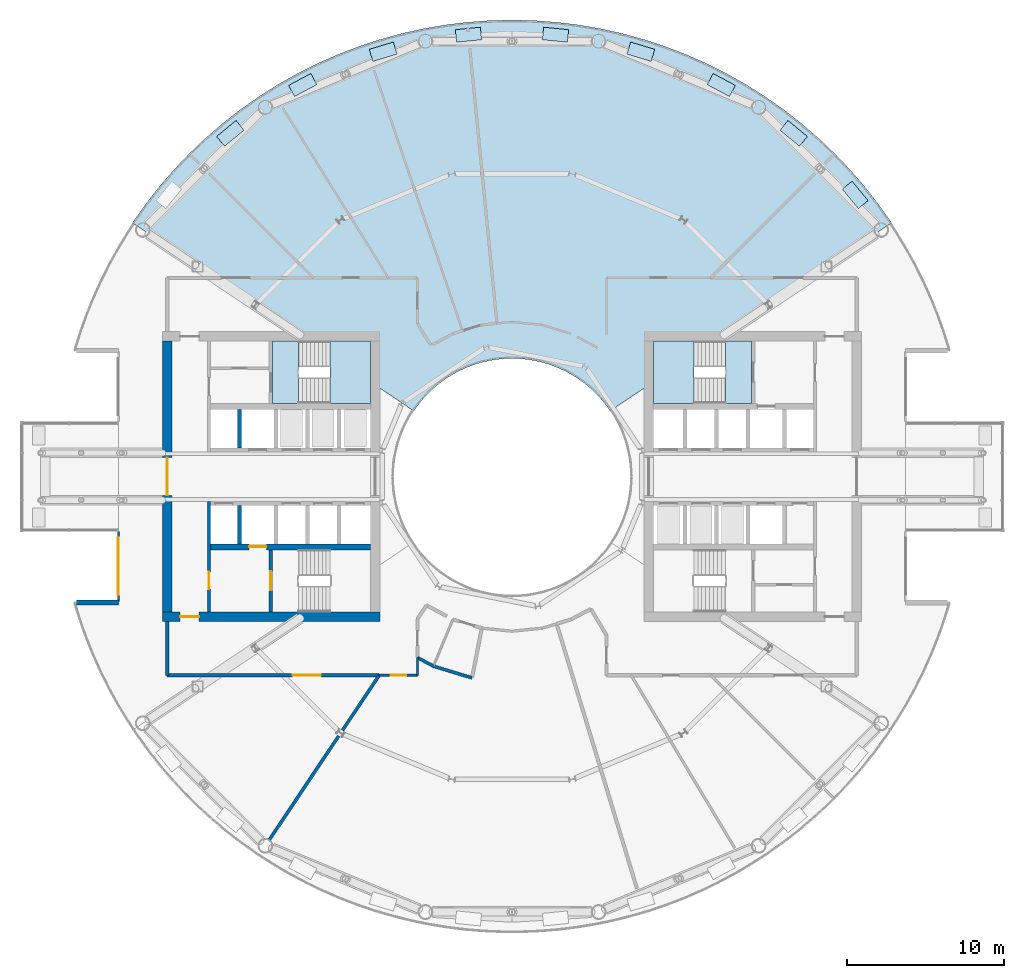
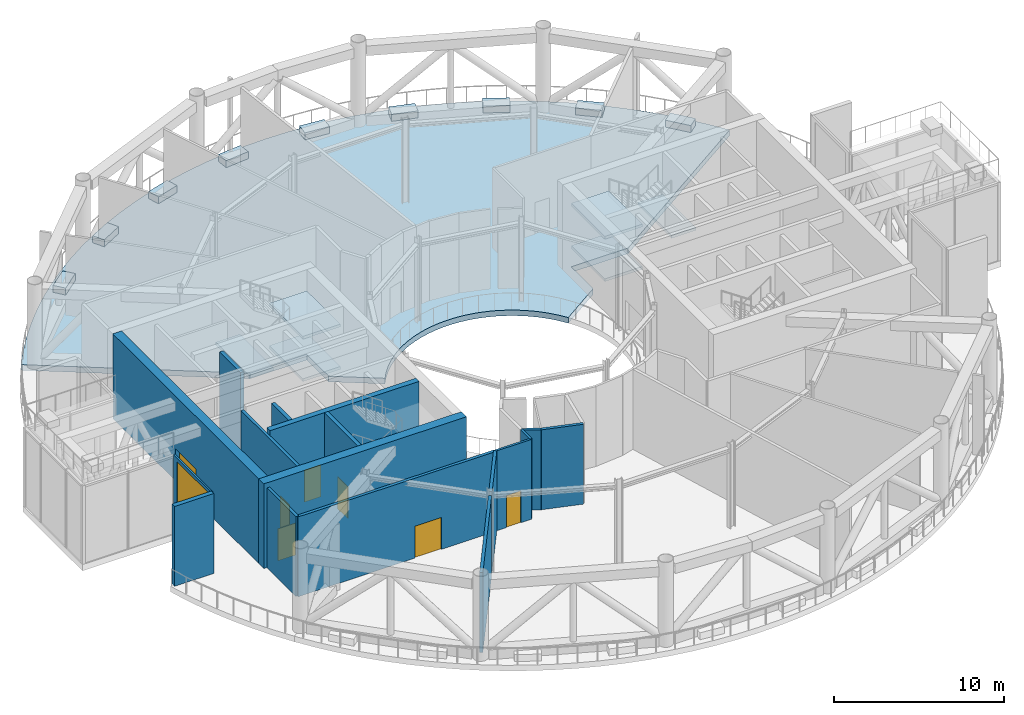
# One storey, part 12 of 25: 17 walls, 16 slabs, 7 doors, 1 window, 8 openings, 2 elements without a shape of their own.
"""IFC4 building model written with IfcOpenShell, lengths in metres."""

from ifc_helpers import new_model, si_unit, direction, frame, frame_2d, origin, place, context, subcontext, project, spatial, polyline, rectangle, outline, extrude, material, layer, layer_set, type_object, element, fill, aggregate, save


model = new_model("IFC4")

# Units and contexts
model_context = context("Model", 3, precision=1e-05, world=origin(), true_north=direction((0.0, 1.0)))
body_context = subcontext(model_context, "Body", "Model", "MODEL_VIEW")
ifc_project = project(units=[si_unit("LENGTHUNIT", "METRE"), si_unit("AREAUNIT", "SQUARE_METRE"), si_unit("VOLUMEUNIT", "CUBIC_METRE"), si_unit("PLANEANGLEUNIT", "RADIAN"), si_unit("MASSUNIT", "GRAM", prefix="KILO")], contexts=[model_context])

# Site, building, storey
site_placement = place(None, origin())
site = spatial("IfcSite", under=ifc_project, at=site_placement, CompositionType="ELEMENT")
building_placement = place(site_placement, origin())
building = spatial("IfcBuilding", under=site, at=building_placement, Name="Maasbend Ring Residences", CompositionType="ELEMENT")
storey_placement = place(building_placement, frame((0.0, 0.0, 139.10009765625)))
storey = spatial("IfcBuildingStorey", under=building, at=storey_placement, Name="L40", CompositionType="ELEMENT", Elevation=139.10009765625)

# Stair, slabs
ifc_material_1 = material(Name="Concrete C40/50", Category="concrete")
stair_type = type_object("IfcStairType", Name="CORE STAIR 36 RISERS", PredefinedType="HALF_TURN_STAIR", material=ifc_material_1)
stair_1_placement = place(storey_placement, origin())
stair_1 = element("IfcStair", 1, at=stair_1_placement, inside=storey, type_object=stair_type, Name="L40 Exit stair ST-E1", PredefinedType="HALF_TURN_STAIR")
ifc_material_2 = material(Name="Concrete C40/50", Category="concrete")
ifc_layer_1 = layer(ifc_material_2, 0.199951171875)
ifc_layer_set_1 = layer_set([ifc_layer_1], Name="Concrete C40/50")
slab_type_1 = type_object("IfcSlabType", Name="CORE STAIR LANDING 200", PredefinedType="LANDING", material=ifc_layer_set_1)
slab_1_placement = place(storey_placement, frame((0.0, 0.0, 1.324951171875)))
slab_1 = element("IfcSlab", 2, at=slab_1_placement, type_object=slab_type_1, Name="ST-E1 landing 1", PredefinedType="LANDING", context=body_context, shape_type="SweptSolid", body=[
    extrude(outline(polyline([(11.550048828125, 8.60009765625), (9.0, 8.60009765625), (9.0, 4.64990234375), (11.550048828125, 4.64990234375), (11.550048828125, 8.60009765625)])), origin(), (0.0, 0.0, 1.0), 0.199951171875),
])
slab_2_placement = place(storey_placement, frame((0.0, 0.0, 2.849853515625)))
slab_2 = element("IfcSlab", 3, at=slab_2_placement, type_object=slab_type_1, Name="ST-E1 landing 2", PredefinedType="LANDING", context=body_context, shape_type="SweptSolid", body=[
    extrude(outline(polyline([(15.199951171875, 8.60009765625), (13.550048828125, 8.60009765625), (13.550048828125, 4.64990234375), (15.199951171875, 4.64990234375), (15.199951171875, 8.60009765625)])), origin(), (0.0, 0.0, 1.0), 0.199951171875),
])
slab_3_placement = place(storey_placement, frame((0.0, 0.0, 4.375)))
slab_3 = element("IfcSlab", 4, at=slab_3_placement, type_object=slab_type_1, Name="ST-E1 landing 3", PredefinedType="LANDING", context=body_context, shape_type="SweptSolid", body=[
    extrude(outline(polyline([(11.550048828125, 8.60009765625), (9.0, 8.60009765625), (9.0, 4.64990234375), (11.550048828125, 4.64990234375), (11.550048828125, 8.60009765625)])), origin(), (0.0, 0.0, 1.0), 0.199951171875),
])
aggregate(stair_1, [slab_1, slab_2, slab_3])

stair_2_placement = place(storey_placement, origin())
stair_2 = element("IfcStair", 5, at=stair_2_placement, inside=storey, type_object=stair_type, Name="L40 Exit stair ST-W2", PredefinedType="HALF_TURN_STAIR")
slab_4_placement = place(storey_placement, frame((0.0, 0.0, 1.324951171875)))
slab_4 = element("IfcSlab", 6, at=slab_4_placement, type_object=slab_type_1, Name="ST-W2 landing 1", PredefinedType="LANDING", context=body_context, shape_type="SweptSolid", body=[
    extrude(outline(polyline([(-11.550048828125, 4.64990234375), (-9.0, 4.64990234375), (-9.0, 8.60009765625), (-11.550048828125, 8.60009765625), (-11.550048828125, 4.64990234375)])), origin(), (0.0, 0.0, 1.0), 0.199951171875),
])
slab_5_placement = place(storey_placement, frame((0.0, 0.0, 2.849853515625)))
slab_5 = element("IfcSlab", 7, at=slab_5_placement, type_object=slab_type_1, Name="ST-W2 landing 2", PredefinedType="LANDING", context=body_context, shape_type="SweptSolid", body=[
    extrude(outline(polyline([(-15.199951171875, 4.64990234375), (-13.550048828125, 4.64990234375), (-13.550048828125, 8.60009765625), (-15.199951171875, 8.60009765625), (-15.199951171875, 4.64990234375)])), origin(), (0.0, 0.0, 1.0), 0.199951171875),
])
slab_6_placement = place(storey_placement, frame((0.0, 0.0, 4.375)))
slab_6 = element("IfcSlab", 8, at=slab_6_placement, type_object=slab_type_1, Name="ST-W2 landing 3", PredefinedType="LANDING", context=body_context, shape_type="SweptSolid", body=[
    extrude(outline(polyline([(-11.550048828125, 4.64990234375), (-9.0, 4.64990234375), (-9.0, 8.60009765625), (-11.550048828125, 8.60009765625), (-11.550048828125, 4.64990234375)])), origin(), (0.0, 0.0, 1.0), 0.199951171875),
])
aggregate(stair_2, [slab_4, slab_5, slab_6])

# Slabs
ifc_material_3 = material(Name="Lawn and planting")
ifc_layer_2 = layer(ifc_material_3, 0.5)
ifc_layer_set_2 = layer_set([ifc_layer_2], Name="PLANTER-GD")
slab_type_2 = type_object("IfcSlabType", Name="PLANTER-GD", PredefinedType="USERDEFINED", material=ifc_layer_set_2)
slab_7_placement = place(storey_placement, origin())
element("IfcSlab", 9, at=slab_7_placement, inside=storey, type_object=slab_type_2, Name="Garden planter 1", ObjectType="PLANTER", PredefinedType="USERDEFINED", context=body_context, shape_type="SweptSolid", body=[
    extrude(outline(polyline([(22.615966796875, 17.52490234375), (21.60107421875, 18.761962890625), (20.98193359375, 18.2548828125), (21.9970703125, 17.01806640625), (22.615966796875, 17.52490234375)])), origin(), (0.0, 0.0, 1.0), 0.5),
])
slab_8_placement = place(storey_placement, origin())
element("IfcSlab", 10, at=slab_8_placement, inside=storey, type_object=slab_type_2, Name="Garden planter 2", ObjectType="PLANTER", PredefinedType="USERDEFINED", context=body_context, shape_type="SweptSolid", body=[
    extrude(outline(polyline([(18.761962890625, 21.60107421875), (17.52490234375, 22.615966796875), (17.01806640625, 21.9970703125), (18.2548828125, 20.98193359375), (18.761962890625, 21.60107421875)])), origin(), (0.0, 0.0, 1.0), 0.5),
])
slab_9_placement = place(storey_placement, origin())
element("IfcSlab", 11, at=slab_9_placement, inside=storey, type_object=slab_type_2, Name="Garden planter 3", ObjectType="PLANTER", PredefinedType="USERDEFINED", context=body_context, shape_type="SweptSolid", body=[
    extrude(outline(polyline([(14.18701171875, 24.845947265625), (12.77587890625, 25.60009765625), (12.39892578125, 24.89501953125), (13.81005859375, 24.139892578125), (14.18701171875, 24.845947265625)])), origin(), (0.0, 0.0, 1.0), 0.5),
])
slab_10_placement = place(storey_placement, origin())
element("IfcSlab", 12, at=slab_10_placement, inside=storey, type_object=slab_type_2, Name="Garden planter 4", ObjectType="PLANTER", PredefinedType="USERDEFINED", context=body_context, shape_type="SweptSolid", body=[
    extrude(outline(polyline([(9.068115234375, 27.135986328125), (7.537109375, 27.60107421875), (7.303955078125, 26.8349609375), (8.8349609375, 26.37109375), (9.068115234375, 27.135986328125)])), origin(), (0.0, 0.0, 1.0), 0.5),
])
slab_11_placement = place(storey_placement, origin())
element("IfcSlab", 13, at=slab_11_placement, inside=storey, type_object=slab_type_2, Name="Garden planter 5", ObjectType="PLANTER", PredefinedType="USERDEFINED", context=body_context, shape_type="SweptSolid", body=[
    extrude(outline(polyline([(3.59912109375, 28.384033203125), (2.007080078125, 28.541015625), (1.928955078125, 27.7451171875), (3.52099609375, 27.587890625), (3.59912109375, 28.384033203125)])), origin(), (0.0, 0.0, 1.0), 0.5),
])
slab_12_placement = place(storey_placement, origin())
element("IfcSlab", 14, at=slab_12_placement, inside=storey, type_object=slab_type_2, Name="Garden planter 6", ObjectType="PLANTER", PredefinedType="USERDEFINED", context=body_context, shape_type="SweptSolid", body=[
    extrude(outline(polyline([(-2.007080078125, 28.541015625), (-3.59912109375, 28.384033203125), (-3.52099609375, 27.587890625), (-1.928955078125, 27.7451171875), (-2.007080078125, 28.541015625)])), origin(), (0.0, 0.0, 1.0), 0.5),
])
slab_13_placement = place(storey_placement, origin())
element("IfcSlab", 15, at=slab_13_placement, inside=storey, type_object=slab_type_2, Name="Garden planter 7", ObjectType="PLANTER", PredefinedType="USERDEFINED", context=body_context, shape_type="SweptSolid", body=[
    extrude(outline(polyline([(-7.537109375, 27.60107421875), (-9.068115234375, 27.135986328125), (-8.8349609375, 26.37109375), (-7.303955078125, 26.8349609375), (-7.537109375, 27.60107421875)])), origin(), (0.0, 0.0, 1.0), 0.5),
])
slab_14_placement = place(storey_placement, origin())
element("IfcSlab", 16, at=slab_14_placement, inside=storey, type_object=slab_type_2, Name="Garden planter 8", ObjectType="PLANTER", PredefinedType="USERDEFINED", context=body_context, shape_type="SweptSolid", body=[
    extrude(outline(polyline([(-12.77587890625, 25.60009765625), (-14.18701171875, 24.845947265625), (-13.81005859375, 24.139892578125), (-12.39892578125, 24.89501953125), (-12.77587890625, 25.60009765625)])), origin(), (0.0, 0.0, 1.0), 0.5),
])
slab_15_placement = place(storey_placement, origin())
element("IfcSlab", 17, at=slab_15_placement, inside=storey, type_object=slab_type_2, Name="Garden planter 9", ObjectType="PLANTER", PredefinedType="USERDEFINED", context=body_context, shape_type="SweptSolid", body=[
    extrude(outline(polyline([(-17.52490234375, 22.615966796875), (-18.761962890625, 21.60107421875), (-18.2548828125, 20.98193359375), (-17.01806640625, 21.9970703125), (-17.52490234375, 22.615966796875)])), origin(), (0.0, 0.0, 1.0), 0.5),
])
ifc_material_4 = material(Name="Concrete C40/50", Category="concrete")
ifc_layer_3 = layer(ifc_material_4, 0.39990234375)
ifc_layer_set_3 = layer_set([ifc_layer_3], Name="Concrete C40/50")
slab_type_3 = type_object("IfcSlabType", Name="Post-tensioned flat plate 400", PredefinedType="FLOOR", material=ifc_layer_set_3)
slab_16_placement = place(storey_placement, frame((0.0, 0.0, -0.400146484375)))
element("IfcSlab", 18, at=slab_16_placement, inside=storey, type_object=slab_type_3, Name="Floor slab L40 sky garden", PredefinedType="FLOOR", context=body_context, shape_type="SweptSolid", body=[
    extrude(outline(polyline([(-24.112548828125, 16.111572265625), (-12.870849609375, 8.60009765625), (-9.0, 8.60009765625), (-9.0, 6.013671875), (-6.236083984375, 4.166748046875), (-6.024169921875, 4.4677734375), (-5.797607421875, 4.7578125), (-5.55712890625, 5.03662109375), (-5.30322265625, 5.30322265625), (-5.03662109375, 5.55712890625), (-4.7578125, 5.797607421875), (-4.4677734375, 6.024169921875), (-4.166748046875, 6.236083984375), (-3.855712890625, 6.43310546875), (-3.535400390625, 6.614501953125), (-3.206787109375, 6.77978515625), (-2.8701171875, 6.92919921875), (-2.526611328125, 7.0615234375), (-2.177001953125, 7.177001953125), (-1.822509765625, 7.275146484375), (-1.463134765625, 7.35595703125), (-1.1005859375, 7.418701171875), (-0.735107421875, 7.4638671875), (-0.367919921875, 7.490966796875), (0.0, 7.5), (0.367919921875, 7.490966796875), (0.735107421875, 7.4638671875), (1.1005859375, 7.418701171875), (1.463134765625, 7.35595703125), (1.822509765625, 7.275146484375), (2.177001953125, 7.177001953125), (2.526611328125, 7.0615234375), (2.8701171875, 6.92919921875), (3.206787109375, 6.77978515625), (3.535400390625, 6.614501953125), (3.855712890625, 6.43310546875), (4.166748046875, 6.236083984375), (4.4677734375, 6.024169921875), (4.7578125, 5.797607421875), (5.03662109375, 5.55712890625), (5.30322265625, 5.30322265625), (5.55712890625, 5.03662109375), (5.797607421875, 4.7578125), (6.024169921875, 4.4677734375), (6.236083984375, 4.166748046875), (9.0, 6.013671875), (9.0, 8.60009765625), (12.870849609375, 8.60009765625), (24.112548828125, 16.111572265625), (23.29296875, 17.275390625), (22.417236328125, 18.3974609375), (21.487548828125, 19.47509765625), (20.506103515625, 20.506103515625), (19.47509765625, 21.487548828125), (18.3974609375, 22.417236328125), (17.275390625, 23.29296875), (16.111572265625, 24.112548828125), (14.908935546875, 24.8740234375), (13.67041015625, 25.57568359375), (12.399169921875, 26.2158203125), (11.097900390625, 26.79248046875), (9.769775390625, 27.3046875), (8.418212890625, 27.751220703125), (7.04638671875, 28.130859375), (5.65771484375, 28.44287109375), (4.255126953125, 28.68603515625), (2.842529296875, 28.8603515625), (1.423095703125, 28.965087890625), (0.0, 29.0), (-1.423095703125, 28.965087890625), (-2.842529296875, 28.8603515625), (-4.255126953125, 28.68603515625), (-5.65771484375, 28.44287109375), (-7.04638671875, 28.130859375), (-8.418212890625, 27.751220703125), (-9.769775390625, 27.3046875), (-11.097900390625, 26.79248046875), (-12.399169921875, 26.2158203125), (-13.67041015625, 25.57568359375), (-14.908935546875, 24.8740234375), (-16.111572265625, 24.112548828125), (-17.275390625, 23.29296875), (-18.3974609375, 22.417236328125), (-19.47509765625, 21.487548828125), (-20.506103515625, 20.506103515625), (-21.487548828125, 19.47509765625), (-22.417236328125, 18.3974609375), (-23.29296875, 17.275390625), (-24.112548828125, 16.111572265625)])), origin(), (0.0, 0.0, 1.0), 0.400146484375),
])

# Wall, opening, door
ifc_material_5 = material(Name="Concrete C60/75", Category="concrete")
ifc_layer_4 = layer(ifc_material_5, 0.25)
ifc_layer_set_4 = layer_set([ifc_layer_4], Name="Concrete C60/75")
wall_type_1 = type_object("IfcWallType", Name="CORE WALL 250 C60/75", PredefinedType="SHEAR", material=ifc_layer_set_4)
wall_1_placement = place(storey_placement, frame((-15.324951171875, -4.64990234375, 0.0), z_axis=(0.0, 0.0, 1.0), x_axis=(0.0, -1.0, 0.0)))
wall_1 = element("IfcWall", 19, at=wall_1_placement, inside=storey, type_object=wall_type_1, Name="L40 core W wall STEN", PredefinedType="SHEAR", context=body_context, shape_type="SweptSolid", body=[
    extrude(rectangle(XDim=3.9501953125, YDim=0.25, at=frame_2d((1.97509765625, 0.0))), origin(), (0.0, 0.0, 1.0), 6.099853515625),
])
opening_1_placement = place(wall_1_placement, frame((1.375, 0.0, 0.0)))
opening_1 = element("IfcOpeningElement", 20, at=opening_1_placement, cuts=wall_1, Name="Opening D-W4011", PredefinedType="OPENING", context=body_context, shape_type="SweptSolid", body=[
    extrude(rectangle(XDim=1.199951171875, YDim=2.300048828125, at=frame_2d((0.60009765625, 1.14990234375))), frame((0.0, 0.135009765625, 0.0), z_axis=(0.0, -1.0, 0.0), x_axis=(1.0, 0.0, 0.0)), (0.0, 0.0, 1.0), 0.27001953125),
])
ifc_material_6 = material(Name="Steel, powder coated", Category="steel")
door_type_1 = type_object("IfcDoorType", Name="STAIR DOOR 1200 X 2300 FD60", OperationType="NOTDEFINED", PredefinedType="DOOR", material=ifc_material_6)
door_1_placement = place(opening_1_placement, origin())
door_1 = element("IfcDoor", 21, at=door_1_placement, inside=storey, type_object=door_type_1, Name="Stair door ST-W L40", OperationType="SINGLE_SWING_LEFT", OverallHeight=2.300048828125, OverallWidth=1.199951171875, PredefinedType="DOOR", context=body_context, shape_type="SweptSolid", body=[
    extrude(rectangle(XDim=1.199951171875, YDim=2.300048828125, at=frame_2d((0.60009765625, 1.14990234375))), frame((0.0, 0.02490234375, 0.0), z_axis=(0.0, -1.0, 0.0), x_axis=(1.0, 0.0, 0.0)), (0.0, 0.0, 1.0), 0.050048828125),
])
fill(opening_1, door_1)

ifc_material_7 = material(Name="Concrete C60/75", Category="concrete")
ifc_layer_5 = layer(ifc_material_7, 0.375)
ifc_layer_set_5 = layer_set([ifc_layer_5], Name="Concrete C60/75")
wall_type_2 = type_object("IfcWallType", Name="CORE WALL 375 C60/75", PredefinedType="SHEAR", material=ifc_layer_set_5)
wall_2_placement = place(storey_placement, frame((-9.0, -4.46240234375, 0.0), z_axis=(0.0, 0.0, 1.0), x_axis=(-1.0, 0.0, 0.0)))
wall_2 = element("IfcWall", 22, at=wall_2_placement, inside=storey, type_object=wall_type_2, Name="L40 core W wall BN", PredefinedType="SHEAR", context=body_context, shape_type="SweptSolid", body=[
    extrude(rectangle(XDim=10.14990234375, YDim=0.375, at=frame_2d((5.074951171875, 0.0))), origin(), (0.0, 0.0, 1.0), 6.099853515625),
])
opening_2_placement = place(wall_2_placement, frame((6.60009765625, 0.0, 0.0)))
opening_2 = element("IfcOpeningElement", 23, at=opening_2_placement, cuts=wall_2, Name="Opening LD-W4004", PredefinedType="OPENING", context=body_context, shape_type="SweptSolid", body=[
    extrude(rectangle(XDim=1.10009765625, YDim=2.300048828125, at=frame_2d((0.550048828125, 1.14990234375))), frame((0.0, 0.197509765625, 0.0), z_axis=(0.0, -1.0, 0.0), x_axis=(1.0, 0.0, 0.0)), (0.0, 0.0, 1.0), 0.39501953125),
])
ifc_material_8 = material(Name="Stainless steel 316", Category="steel")
door_type_2 = type_object("IfcDoorType", Name="LANDING DOOR 1100 X 2300 FD60", OperationType="DOUBLE_DOOR_SLIDING", PredefinedType="DOOR", material=ifc_material_8)
door_2_placement = place(opening_2_placement, origin())
door_2 = element("IfcDoor", 24, at=door_2_placement, inside=storey, type_object=door_type_2, Name="Landing door FF-W L40", OperationType="DOUBLE_DOOR_SLIDING", OverallHeight=2.300048828125, OverallWidth=1.10009765625, PredefinedType="DOOR", context=body_context, shape_type="SweptSolid", body=[
    extrude(rectangle(XDim=1.10009765625, YDim=2.300048828125, at=frame_2d((0.550048828125, 1.14990234375))), frame((0.0, 0.02490234375, 0.0), z_axis=(0.0, -1.0, 0.0), x_axis=(1.0, 0.0, 0.0)), (0.0, 0.0, 1.0), 0.050048828125),
])
fill(opening_2, door_2)

ifc_material_9 = material(Name="Concrete C60/75", Category="concrete")
ifc_layer_6 = layer(ifc_material_9, 0.60009765625)
ifc_layer_set_6 = layer_set([ifc_layer_6], Name="Concrete C60/75")
wall_type_3 = type_object("IfcWallType", Name="CORE WALL 600 C60/75", PredefinedType="SHEAR", material=ifc_layer_set_6)
wall_3_placement = place(storey_placement, frame((-22.199951171875, -8.89990234375, 0.0), z_axis=(0.0, 0.0, 1.0), x_axis=(1.0, 0.0, 0.0)))
wall_3 = element("IfcWall", 25, at=wall_3_placement, inside=storey, type_object=wall_type_3, Name="L40 core W wall PN", PredefinedType="SHEAR", context=body_context, shape_type="SweptSolid", body=[
    extrude(rectangle(XDim=13.800048828125, YDim=0.60009765625, at=frame_2d((6.89990234375, 0.0))), origin(), (0.0, 0.0, 1.0), 6.099853515625),
])
opening_3_placement = place(wall_3_placement, frame((1.125, 0.0, 0.0)))
opening_3 = element("IfcOpeningElement", 26, at=opening_3_placement, cuts=wall_3, Name="Opening D-W4015", PredefinedType="OPENING", context=body_context, shape_type="SweptSolid", body=[
    extrude(rectangle(XDim=1.199951171875, YDim=2.300048828125, at=frame_2d((0.60009765625, 1.14990234375))), frame((0.0, 0.31005859375, 0.0), z_axis=(0.0, -1.0, 0.0), x_axis=(1.0, 0.0, 0.0)), (0.0, 0.0, 1.0), 0.6201171875),
])
ifc_material_10 = material(Name="Steel, powder coated", Category="steel")
door_type_3 = type_object("IfcDoorType", Name="CORRIDOR DOOR 1200 X 2300 FD30S", OperationType="NOTDEFINED", PredefinedType="DOOR", material=ifc_material_10)
door_3_placement = place(opening_3_placement, origin())
door_3 = element("IfcDoor", 27, at=door_3_placement, inside=storey, type_object=door_type_3, Name="Corridor door L40", OperationType="SINGLE_SWING_RIGHT", OverallHeight=2.300048828125, OverallWidth=1.199951171875, PredefinedType="DOOR", context=body_context, shape_type="SweptSolid", body=[
    extrude(rectangle(XDim=1.199951171875, YDim=2.300048828125, at=frame_2d((0.60009765625, 1.14990234375))), frame((0.0, 0.02490234375, 0.0), z_axis=(0.0, -1.0, 0.0), x_axis=(1.0, 0.0, 0.0)), (0.0, 0.0, 1.0), 0.050048828125),
])
fill(opening_3, door_3)

wall_4_placement = place(storey_placement, frame((-21.89990234375, -8.60009765625, 0.0), z_axis=(0.0, 0.0, 1.0), x_axis=(0.0, 1.0, 0.0)))
wall_4 = element("IfcWall", 28, at=wall_4_placement, inside=storey, type_object=wall_type_3, Name="L40 core W wall POUT", PredefinedType="SHEAR", context=body_context, shape_type="SweptSolid", body=[
    extrude(rectangle(XDim=17.2001953125, YDim=0.60009765625, at=frame_2d((8.60009765625, 0.0))), origin(), (0.0, 0.0, 1.0), 6.099853515625),
])
opening_4_placement = place(wall_4_placement, frame((7.39990234375, 0.0, 0.0)))
opening_4 = element("IfcOpeningElement", 29, at=opening_4_placement, cuts=wall_4, Name="Opening D-W4017", PredefinedType="OPENING", context=body_context, shape_type="SweptSolid", body=[
    extrude(rectangle(XDim=2.39990234375, YDim=2.300048828125, at=frame_2d((1.199951171875, 1.14990234375))), frame((0.0, 0.31005859375, 0.0), z_axis=(0.0, -1.0, 0.0), x_axis=(1.0, 0.0, 0.0)), (0.0, 0.0, 1.0), 0.6201171875),
])
ifc_material_11 = material(Name="Aluminium frame, clear glass", Category="aluminium")
door_type_4 = type_object("IfcDoorType", Name="ENTRANCE DOOR 2400 X 2300 FD60", OperationType="NOTDEFINED", PredefinedType="DOOR", material=ifc_material_11)
door_4_placement = place(opening_4_placement, origin())
door_4 = element("IfcDoor", 30, at=door_4_placement, inside=storey, type_object=door_type_4, Name="Lobby glazed door L40", OperationType="SINGLE_SWING_LEFT", OverallHeight=2.300048828125, OverallWidth=2.39990234375, PredefinedType="DOOR", context=body_context, shape_type="SweptSolid", body=[
    extrude(rectangle(XDim=2.39990234375, YDim=2.300048828125, at=frame_2d((1.199951171875, 1.14990234375))), frame((0.0, 0.02490234375, 0.0), z_axis=(0.0, -1.0, 0.0), x_axis=(1.0, 0.0, 0.0)), (0.0, 0.0, 1.0), 0.050048828125),
])
fill(opening_4, door_4)

# Walls
ifc_material_12 = material(Name="Concrete C30/37", Category="concrete")
ifc_layer_7 = layer(ifc_material_12, 0.199951171875)
ifc_layer_set_7 = layer_set([ifc_layer_7], Name="Concrete C30/37")
wall_type_4 = type_object("IfcWallType", Name="CORRIDOR WALL 200 CONCRETE", PredefinedType="PARTITIONING", material=ifc_layer_set_7)
wall_5_placement = place(storey_placement, frame((-6.0, -11.5029296875, 0.0), z_axis=(0.0, 0.0, 1.0), x_axis=(0.882235076446, -0.470809165042, 0.0)))
element("IfcWall", 31, at=wall_5_placement, inside=storey, type_object=wall_type_4, Name="U-L40-w003", PredefinedType="PARTITIONING", context=body_context, shape_type="SweptSolid", body=[
    extrude(rectangle(XDim=1.14697265625, YDim=0.199951171875, at=frame_2d((0.573486328125, 0.0))), origin(), (0.0, 0.0, 1.0), 5.75),
])
wall_6_placement = place(storey_placement, frame((-4.988037109375, -12.04296875, 0.0), z_axis=(0.0, 0.0, 1.0), x_axis=(0.956914242202, -0.290370682182, 0.0)))
element("IfcWall", 32, at=wall_6_placement, inside=storey, type_object=wall_type_4, Name="U-L40-w004", PredefinedType="PARTITIONING", context=body_context, shape_type="SweptSolid", body=[
    extrude(rectangle(XDim=2.55517578125, YDim=0.199951171875, at=frame_2d((1.277587890625, 0.0))), origin(), (0.0, 0.0, 1.0), 5.75),
])

# Wall, opening, door
wall_7_placement = place(storey_placement, frame((-21.89990234375, -12.6201171875, 0.0), z_axis=(0.0, 0.0, 1.0), x_axis=(1.0, 0.0, 0.0)))
wall_7 = element("IfcWall", 33, at=wall_7_placement, inside=storey, type_object=wall_type_4, Name="U-L40-w005", PredefinedType="PARTITIONING", context=body_context, shape_type="SweptSolid", body=[
    extrude(rectangle(XDim=13.468017578125, YDim=0.199951171875, at=frame_2d((6.73388671875, 0.0))), origin(), (0.0, 0.0, 1.0), 5.75),
])
opening_5_placement = place(wall_7_placement, frame((7.962890625, 0.0, 0.0)))
opening_5 = element("IfcOpeningElement", 34, at=opening_5_placement, cuts=wall_7, Name="Opening D-4012", PredefinedType="OPENING", context=body_context, shape_type="SweptSolid", body=[
    extrude(rectangle(XDim=1.800048828125, YDim=2.300048828125, at=frame_2d((0.89990234375, 1.14990234375))), frame((0.0, 0.10986328125, 0.0), z_axis=(0.0, -1.0, 0.0), x_axis=(1.0, 0.0, 0.0)), (0.0, 0.0, 1.0), 0.219970703125),
])
ifc_material_13 = material(Name="Timber, painted", Category="wood")
door_type_5 = type_object("IfcDoorType", Name="DOUBLE DOOR 1800 X 2300", OperationType="NOTDEFINED", PredefinedType="DOOR", material=ifc_material_13)
door_5_placement = place(opening_5_placement, origin())
door_5 = element("IfcDoor", 35, at=door_5_placement, inside=storey, type_object=door_type_5, Name="D-4012", OperationType="DOUBLE_DOOR_SINGLE_SWING", OverallHeight=2.300048828125, OverallWidth=1.800048828125, PredefinedType="DOOR", context=body_context, shape_type="SweptSolid", body=[
    extrude(rectangle(XDim=1.800048828125, YDim=2.300048828125, at=frame_2d((0.89990234375, 1.14990234375))), frame((0.0, 0.02490234375, 0.0), z_axis=(0.0, -1.0, 0.0), x_axis=(1.0, 0.0, 0.0)), (0.0, 0.0, 1.0), 0.050048828125),
])
fill(opening_5, door_5)

# Walls
wall_8_placement = place(storey_placement, frame((-15.41796875, -23.074951171875, 0.0), z_axis=(0.0, 0.0, 1.0), x_axis=(0.555601548305, 0.831448687245, 0.0)))
element("IfcWall", 36, at=wall_8_placement, inside=storey, type_object=wall_type_4, Name="U-L40-w021", PredefinedType="PARTITIONING", context=body_context, shape_type="SweptSolid", body=[
    extrude(rectangle(XDim=7.935546875, YDim=0.199951171875, at=frame_2d((3.9677734375, 0.0))), origin(), (0.0, 0.0, 1.0), 5.75),
])
wall_9_placement = place(storey_placement, frame((-10.76904296875, -16.116943359375, 0.0), z_axis=(0.0, 0.0, 1.0), x_axis=(0.555677670829, 0.831397814612, 0.0)))
element("IfcWall", 37, at=wall_9_placement, inside=storey, type_object=wall_type_4, Name="U-L40-w023", PredefinedType="PARTITIONING", context=body_context, shape_type="SweptSolid", body=[
    extrude(rectangle(XDim=4.2060546875, YDim=0.199951171875, at=frame_2d((2.10302734375, 0.0))), origin(), (0.0, 0.0, 1.0), 5.75),
])
wall_10_placement = place(storey_placement, frame((-21.89990234375, -12.6201171875, 0.0), z_axis=(0.0, 0.0, 1.0), x_axis=(0.0, 1.0, 0.0)))
element("IfcWall", 38, at=wall_10_placement, inside=storey, type_object=wall_type_4, Name="U-L40-w050", PredefinedType="PARTITIONING", context=body_context, shape_type="SweptSolid", body=[
    extrude(rectangle(XDim=3.400146484375, YDim=0.199951171875, at=frame_2d((1.7001953125, 0.0))), origin(), (0.0, 0.0, 1.0), 5.75),
])
ifc_material_14 = material(Name="Aluminium clad insulated panel", Category="aluminium")
ifc_layer_8 = layer(ifc_material_14, 0.300048828125)
ifc_layer_set_8 = layer_set([ifc_layer_8], Name="EW-RET")
wall_type_5 = type_object("IfcWallType", Name="EW-RET", PredefinedType="SOLIDWALL", material=ifc_layer_set_8)
wall_11_placement = place(storey_placement, frame((-25.0, -8.0, 0.0), z_axis=(0.0, 0.0, 1.0), x_axis=(-1.0, 0.0, 0.0)))
element("IfcWall", 39, at=wall_11_placement, inside=storey, type_object=wall_type_5, Name="Notch return wall west south", PredefinedType="SOLIDWALL", context=body_context, shape_type="SweptSolid", body=[
    extrude(rectangle(XDim=2.6669921875, YDim=0.300048828125, at=frame_2d((1.33349609375, 0.0))), origin(), (0.0, 0.0, 1.0), 5.75),
])

# Wall, opening, window
ifc_material_15 = material(Name="Aluminium frame and clear glass", Category="aluminium")
ifc_layer_9 = layer(ifc_material_15, 0.1201171875)
ifc_layer_set_9 = layer_set([ifc_layer_9], Name="GLAZED SCREEN WALL 120 EI 60")
wall_type_6 = type_object("IfcWallType", Name="GLAZED SCREEN WALL 120 EI 60", PredefinedType="PARTITIONING", material=ifc_layer_set_9)
wall_12_placement = place(storey_placement, frame((-25.0, -3.5, 0.0), z_axis=(0.0, 0.0, 1.0), x_axis=(0.0, -1.0, 0.0)))
wall_12 = element("IfcWall", 40, at=wall_12_placement, inside=storey, type_object=wall_type_6, Name="L40 core W wall FACEB", PredefinedType="PARTITIONING", context=body_context, shape_type="SweptSolid", body=[
    extrude(rectangle(XDim=4.449951171875, YDim=0.1201171875, at=frame_2d((2.22509765625, 0.0))), origin(), (0.0, 0.0, 1.0), 5.75),
])
opening_6_placement = place(wall_12_placement, frame((0.39990234375, 0.0, 0.10009765625)))
opening_6 = element("IfcOpeningElement", 41, at=opening_6_placement, cuts=wall_12, Name="Opening W-W4003", PredefinedType="OPENING", context=body_context, shape_type="SweptSolid", body=[
    extrude(rectangle(XDim=3.60009765625, YDim=5.39990234375, at=frame_2d((1.800048828125, 2.699951171875))), frame((0.0, 0.070068359375, 0.0), z_axis=(0.0, -1.0, 0.0), x_axis=(1.0, 0.0, 0.0)), (0.0, 0.0, 1.0), 0.14013671875),
])
ifc_material_16 = material(Name="Aluminium frame and clear glass", Category="aluminium")
window_type = type_object("IfcWindowType", Name="FIXED WINDOW 3600 X 5400", PartitioningType="SINGLE_PANEL", PredefinedType="WINDOW", material=ifc_material_16)
window_placement = place(opening_6_placement, origin())
window = element("IfcWindow", 42, at=window_placement, inside=storey, type_object=window_type, Name="Lobby window L40", OverallHeight=5.39990234375, OverallWidth=3.60009765625, PartitioningType="SINGLE_PANEL", PredefinedType="WINDOW", context=body_context, shape_type="SweptSolid", body=[
    extrude(rectangle(XDim=3.60009765625, YDim=5.39990234375, at=frame_2d((1.800048828125, 2.699951171875))), frame((0.0, 0.030029296875, 0.0), z_axis=(0.0, -1.0, 0.0), x_axis=(1.0, 0.0, 0.0)), (0.0, 0.0, 1.0), 0.06005859375),
])
fill(opening_6, window)

# Wall, opening, door
ifc_material_17 = material(Name="Gypsum board on steel studs", Category="steel")
ifc_layer_10 = layer(ifc_material_17, 0.14990234375)
ifc_layer_set_10 = layer_set([ifc_layer_10], Name="PARTITION 150 GYPSUM")
wall_type_7 = type_object("IfcWallType", Name="PARTITION 150 GYPSUM", PredefinedType="PARTITIONING", material=ifc_layer_set_10)
wall_13_placement = place(storey_placement, frame((-8.431884765625, -12.6201171875, 0.0), z_axis=(0.0, 0.0, 1.0), x_axis=(1.0, 0.0, 0.0)))
wall_13 = element("IfcWall", 43, at=wall_13_placement, inside=storey, type_object=wall_type_7, Name="U-L40-w006", PredefinedType="PARTITIONING", context=body_context, shape_type="SweptSolid", body=[
    extrude(rectangle(XDim=2.431884765625, YDim=0.14990234375, at=frame_2d((1.2158203125, 0.0))), origin(), (0.0, 0.0, 1.0), 5.75),
])
opening_7_placement = place(wall_13_placement, frame((0.716064453125, 0.0, 0.0)))
opening_7 = element("IfcOpeningElement", 44, at=opening_7_placement, cuts=wall_13, Name="Opening D-4007", PredefinedType="OPENING", context=body_context, shape_type="SweptSolid", body=[
    extrude(rectangle(XDim=1.0, YDim=2.300048828125, at=frame_2d((0.5, 1.14990234375))), frame((0.0, 0.0849609375, 0.0), z_axis=(0.0, -1.0, 0.0), x_axis=(1.0, 0.0, 0.0)), (0.0, 0.0, 1.0), 0.169921875),
])
ifc_material_18 = material(Name="Timber, painted", Category="wood")
door_type_6 = type_object("IfcDoorType", Name="ROOM DOOR 1000 X 2300", OperationType="NOTDEFINED", PredefinedType="DOOR", material=ifc_material_18)
door_6_placement = place(opening_7_placement, origin())
door_6 = element("IfcDoor", 45, at=door_6_placement, inside=storey, type_object=door_type_6, Name="D-4007", OperationType="SINGLE_SWING_LEFT", OverallHeight=2.300048828125, OverallWidth=1.0, PredefinedType="DOOR", context=body_context, shape_type="SweptSolid", body=[
    extrude(rectangle(XDim=1.0, YDim=2.300048828125, at=frame_2d((0.5, 1.14990234375))), frame((0.0, 0.02490234375, 0.0), z_axis=(0.0, -1.0, 0.0), x_axis=(1.0, 0.0, 0.0)), (0.0, 0.0, 1.0), 0.050048828125),
])
fill(opening_7, door_6)

# Wall
wall_14_placement = place(storey_placement, frame((-6.0, -12.6201171875, 0.0), z_axis=(0.0, 0.0, 1.0), x_axis=(0.0, 1.0, 0.0)))
element("IfcWall", 46, at=wall_14_placement, inside=storey, type_object=wall_type_7, Name="U-L40-w036", PredefinedType="PARTITIONING", context=body_context, shape_type="SweptSolid", body=[
    extrude(rectangle(XDim=1.1171875, YDim=0.14990234375, at=frame_2d((0.55859375, 0.0))), origin(), (0.0, 0.0, 1.0), 5.75),
])

# Wall, opening, door
ifc_material_19 = material(Name="Concrete C30/37", Category="concrete")
ifc_layer_11 = layer(ifc_material_19, 0.199951171875)
ifc_layer_set_11 = layer_set([ifc_layer_11], Name="Concrete C30/37")
wall_type_8 = type_object("IfcWallType", Name="SHAFT WALL 200 EI 120", PredefinedType="SOLIDWALL", material=ifc_layer_set_11)
wall_15_placement = place(storey_placement, frame((-19.25, -1.574951171875, 0.0), z_axis=(0.0, 0.0, 1.0), x_axis=(0.0, -1.0, 0.0)))
wall_15 = element("IfcWall", 47, at=wall_15_placement, inside=storey, type_object=wall_type_8, Name="L40 core W wall ENDN", PredefinedType="SOLIDWALL", context=body_context, shape_type="SweptSolid", body=[
    extrude(rectangle(XDim=7.025146484375, YDim=0.199951171875, at=frame_2d((3.5126953125, 0.0))), origin(), (0.0, 0.0, 1.0), 5.75),
])
opening_8_placement = place(wall_15_placement, frame((4.47509765625, 0.0, 0.0)))
opening_8 = element("IfcOpeningElement", 48, at=opening_8_placement, cuts=wall_15, Name="Opening D-W4013", PredefinedType="OPENING", context=body_context, shape_type="SweptSolid", body=[
    extrude(rectangle(XDim=1.10009765625, YDim=2.300048828125, at=frame_2d((0.550048828125, 1.14990234375))), frame((0.0, 0.10986328125, 0.0), z_axis=(0.0, -1.0, 0.0), x_axis=(1.0, 0.0, 0.0)), (0.0, 0.0, 1.0), 0.219970703125),
])
ifc_material_20 = material(Name="Steel, powder coated", Category="steel")
door_type_7 = type_object("IfcDoorType", Name="LOBBY DOOR 1100 X 2300 FD60", OperationType="NOTDEFINED", PredefinedType="DOOR", material=ifc_material_20)
door_7_placement = place(opening_8_placement, origin())
door_7 = element("IfcDoor", 49, at=door_7_placement, inside=storey, type_object=door_type_7, Name="Lobby door L40", OperationType="SINGLE_SWING_LEFT", OverallHeight=2.300048828125, OverallWidth=1.10009765625, PredefinedType="DOOR", context=body_context, shape_type="SweptSolid", body=[
    extrude(rectangle(XDim=1.10009765625, YDim=2.300048828125, at=frame_2d((0.550048828125, 1.14990234375))), frame((0.0, 0.02490234375, 0.0), z_axis=(0.0, -1.0, 0.0), x_axis=(1.0, 0.0, 0.0)), (0.0, 0.0, 1.0), 0.050048828125),
])
fill(opening_8, door_7)

# Walls
ifc_material_21 = material(Name="Concrete C30/37", Category="concrete")
ifc_layer_12 = layer(ifc_material_21, 0.25)
ifc_layer_set_12 = layer_set([ifc_layer_12], Name="Concrete C30/37")
wall_type_9 = type_object("IfcWallType", Name="SHAFT WALL 250 EI 120", PredefinedType="SOLIDWALL", material=ifc_layer_set_12)
for number, where, z_axis, x_axis, name in (
    (50, (-17.300048828125, -1.824951171875, 0.0), (0.0, 0.0, 1.0), (0.0, -1.0, 0.0), "L40 core W wall D173N"),
    (51, (-17.300048828125, 1.824951171875, 0.0), (0.0, 0.0, 1.0), (0.0, 1.0, 0.0), "L40 core W wall D173S"),
):
    element("IfcWall", number, at=place(storey_placement, frame(where, z_axis=z_axis, x_axis=x_axis)), inside=storey, type_object=wall_type_9, Name=name, PredefinedType="SOLIDWALL", context=body_context, shape_type="SweptSolid", body=[
        extrude(rectangle(XDim=2.449951171875, YDim=0.25, at=frame_2d((1.22509765625, 0.0))), origin(), (0.0, 0.0, 1.0), 5.75),
    ])

save(model, "model.ifc")
